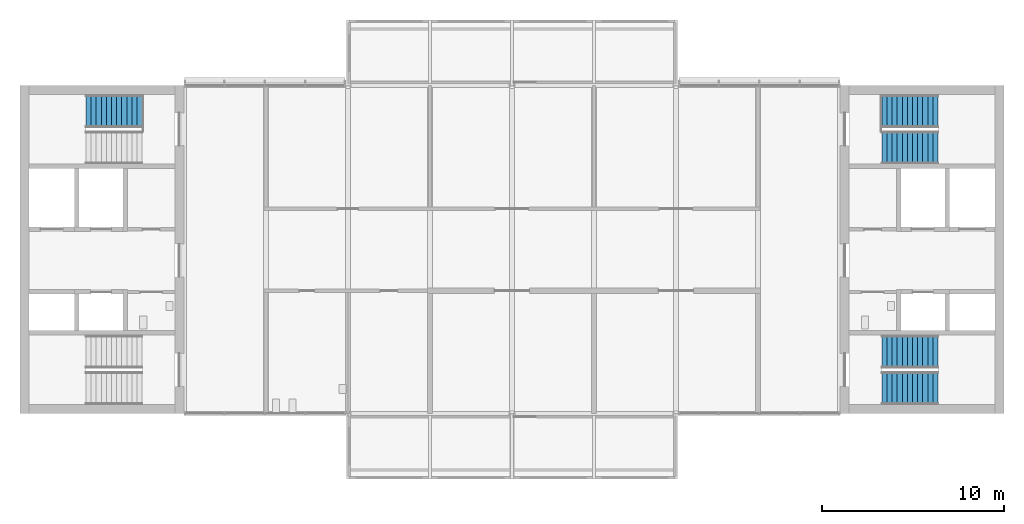
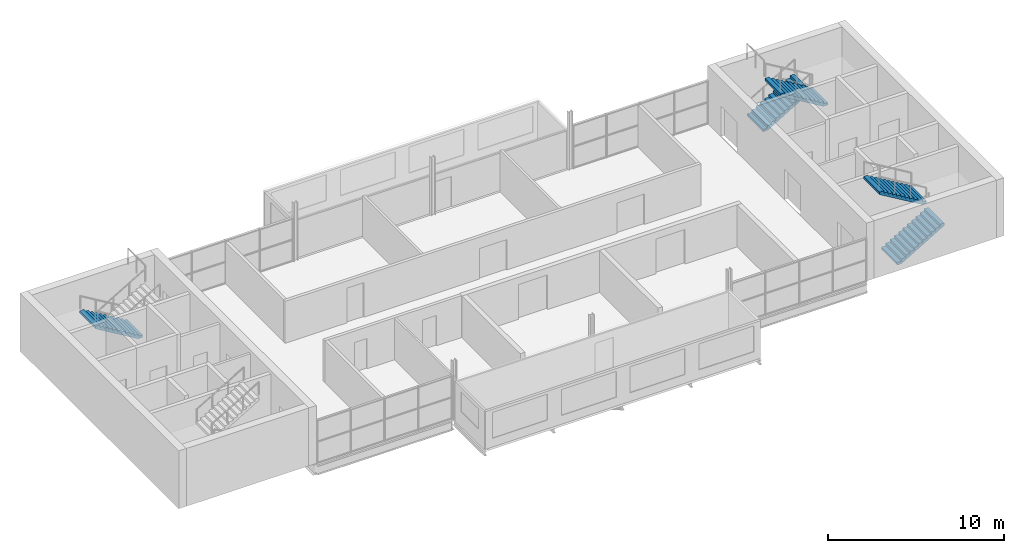
# One storey, part 7 of 10: 5 stair flights, 3 elements without a shape of their own.
"""IFC4 building model written with IfcOpenShell, lengths in metres."""

from ifc_helpers import new_model, si_unit, direction, frame, origin, place, context, subcontext, project, spatial, polyline, outline, extrude, material, type_object, element, aggregate, save


model = new_model("IFC4")

# Units and contexts
model_context = context("Model", 3, precision=1e-05, world=origin(), true_north=direction((0.0, 1.0)))
body_context = subcontext(model_context, "Body", "Model", "MODEL_VIEW")
ifc_project = project(units=[si_unit("LENGTHUNIT", "METRE"), si_unit("AREAUNIT", "SQUARE_METRE"), si_unit("VOLUMEUNIT", "CUBIC_METRE"), si_unit("PLANEANGLEUNIT", "RADIAN"), si_unit("MASSUNIT", "GRAM", prefix="KILO")], contexts=[model_context])

# Site, building, storey
site_placement = place(None, origin())
site = spatial("IfcSite", under=ifc_project, at=site_placement, CompositionType="ELEMENT")
building_placement = place(site_placement, origin())
building = spatial("IfcBuilding", under=site, at=building_placement, Name="Corbel Yard City Hall", CompositionType="ELEMENT")
storey_placement = place(building_placement, frame((0.0, 0.0, 67.199951171875)))
storey = spatial("IfcBuildingStorey", under=building, at=storey_placement, Name="L16", CompositionType="ELEMENT", Elevation=67.199951171875)

# Stair, stair flight
ifc_material = material(Name="Concrete N40 (40 MPa)", Category="concrete")
stair_type = type_object("IfcStairType", Name="ST4", PredefinedType="HALF_TURN_STAIR", material=ifc_material)
stair_1_placement = place(storey_placement, origin())
stair_1 = element("IfcStair", 1, at=stair_1_placement, inside=storey, type_object=stair_type, Name="Exit stair ST-W2 L16", PredefinedType="HALF_TURN_STAIR")
stair_flight_type = type_object("IfcStairFlightType", Name="FL4", PredefinedType="STRAIGHT", material=ifc_material)
stair_flight_1_placement = place(storey_placement, frame((6.699951171875, 115.60009765625, 0.0), z_axis=(0.0, 0.0, 1.0), x_axis=(-1.0, 0.0, 0.0)))
stair_flight_1 = element("IfcStairFlight", 2, at=stair_flight_1_placement, type_object=stair_flight_type, Name="ST-W2 flight 1", NumberOfRisers=12, NumberOfTreads=11, PredefinedType="STRAIGHT", RiserHeight=0.166667, TreadLength=0.28, context=body_context, shape_type="SweptSolid", body=[
    extrude(outline(polyline([(0.0, 0.0), (0.0, 0.166748046875), (0.280029296875, 0.166748046875), (0.280029296875, 0.333251953125), (0.56005859375, 0.333251953125), (0.56005859375, 0.5), (0.840087890625, 0.5), (0.840087890625, 0.666748046875), (1.1201171875, 0.666748046875), (1.1201171875, 0.833251953125), (1.39990234375, 0.833251953125), (1.39990234375, 1.0), (1.679931640625, 1.0), (1.679931640625, 1.166748046875), (1.9599609375, 1.166748046875), (1.9599609375, 1.333251953125), (2.239990234375, 1.333251953125), (2.239990234375, 1.5), (2.52001953125, 1.5), (2.52001953125, 1.666748046875), (2.800048828125, 1.666748046875), (2.800048828125, 1.833251953125), (3.080078125, 1.833251953125), (3.080078125, 2.0), (3.080078125, 1.658935546875), (0.29296875, 0.0), (0.0, 0.0)])), frame((0.0, 0.89990234375, 0.0), z_axis=(0.0, -1.0, 0.0), x_axis=(1.0, 0.0, 0.0)), (0.0, 0.0, 1.0), 1.800048828125),
])
aggregate(stair_1, [stair_flight_1])

# Stair, stair flights
stair_2_placement = place(storey_placement, origin())
stair_2 = element("IfcStair", 3, at=stair_2_placement, inside=storey, type_object=stair_type, Name="Exit stair ST-E1 L16", PredefinedType="HALF_TURN_STAIR")
stair_flight_2_placement = place(storey_placement, frame((47.300048828125, 100.39990234375, 0.0), z_axis=(0.0, 0.0, 1.0), x_axis=(1.0, 0.0, 0.0)))
stair_flight_2 = element("IfcStairFlight", 4, at=stair_flight_2_placement, type_object=stair_flight_type, Name="ST-E1 flight 1", NumberOfRisers=12, NumberOfTreads=11, PredefinedType="STRAIGHT", RiserHeight=0.166667, TreadLength=0.28, context=body_context, shape_type="SweptSolid", body=[
    extrude(outline(polyline([(0.0, 0.0), (0.0, 0.166748046875), (0.280029296875, 0.166748046875), (0.280029296875, 0.333251953125), (0.56005859375, 0.333251953125), (0.56005859375, 0.5), (0.840087890625, 0.5), (0.840087890625, 0.666748046875), (1.1201171875, 0.666748046875), (1.1201171875, 0.833251953125), (1.39990234375, 0.833251953125), (1.39990234375, 1.0), (1.679931640625, 1.0), (1.679931640625, 1.166748046875), (1.9599609375, 1.166748046875), (1.9599609375, 1.333251953125), (2.239990234375, 1.333251953125), (2.239990234375, 1.5), (2.52001953125, 1.5), (2.52001953125, 1.666748046875), (2.800048828125, 1.666748046875), (2.800048828125, 1.833251953125), (3.080078125, 1.833251953125), (3.080078125, 2.0), (3.080078125, 1.658935546875), (0.29296875, 0.0), (0.0, 0.0)])), frame((0.0, 0.89990234375, 0.0), z_axis=(0.0, -1.0, 0.0), x_axis=(1.0, 0.0, 0.0)), (0.0, 0.0, 1.0), 1.800048828125),
])
stair_flight_3_placement = place(storey_placement, frame((50.3798828125, 102.39990234375, 2.0), z_axis=(0.0, 0.0, 1.0), x_axis=(-1.0, 0.0, 0.0)))
stair_flight_3 = element("IfcStairFlight", 5, at=stair_flight_3_placement, type_object=stair_flight_type, Name="ST-E1 flight 2", NumberOfRisers=12, NumberOfTreads=11, PredefinedType="STRAIGHT", RiserHeight=0.166667, TreadLength=0.28, context=body_context, shape_type="SweptSolid", body=[
    extrude(outline(polyline([(0.0, 0.0), (0.0, 0.166748046875), (0.280029296875, 0.166748046875), (0.280029296875, 0.333251953125), (0.56005859375, 0.333251953125), (0.56005859375, 0.5), (0.840087890625, 0.5), (0.840087890625, 0.666748046875), (1.1201171875, 0.666748046875), (1.1201171875, 0.833251953125), (1.39990234375, 0.833251953125), (1.39990234375, 1.0), (1.679931640625, 1.0), (1.679931640625, 1.166748046875), (1.9599609375, 1.166748046875), (1.9599609375, 1.333251953125), (2.239990234375, 1.333251953125), (2.239990234375, 1.5), (2.52001953125, 1.5), (2.52001953125, 1.666748046875), (2.800048828125, 1.666748046875), (2.800048828125, 1.833251953125), (3.080078125, 1.833251953125), (3.080078125, 2.0), (3.080078125, 1.658935546875), (0.29296875, 0.0), (0.0, 0.0)])), frame((0.0, 0.89990234375, 0.0), z_axis=(0.0, -1.0, 0.0), x_axis=(1.0, 0.0, 0.0)), (0.0, 0.0, 1.0), 1.800048828125),
])
aggregate(stair_2, [stair_flight_2, stair_flight_3])

stair_3_placement = place(storey_placement, origin())
stair_3 = element("IfcStair", 6, at=stair_3_placement, inside=storey, type_object=stair_type, Name="Exit stair ST-E2 L16", PredefinedType="HALF_TURN_STAIR")
stair_flight_4_placement = place(storey_placement, frame((47.300048828125, 115.60009765625, 0.0), z_axis=(0.0, 0.0, 1.0), x_axis=(1.0, 0.0, 0.0)))
stair_flight_4 = element("IfcStairFlight", 7, at=stair_flight_4_placement, type_object=stair_flight_type, Name="ST-E2 flight 1", NumberOfRisers=12, NumberOfTreads=11, PredefinedType="STRAIGHT", RiserHeight=0.166667, TreadLength=0.28, context=body_context, shape_type="SweptSolid", body=[
    extrude(outline(polyline([(0.0, 0.0), (0.0, 0.166748046875), (0.280029296875, 0.166748046875), (0.280029296875, 0.333251953125), (0.56005859375, 0.333251953125), (0.56005859375, 0.5), (0.840087890625, 0.5), (0.840087890625, 0.666748046875), (1.1201171875, 0.666748046875), (1.1201171875, 0.833251953125), (1.39990234375, 0.833251953125), (1.39990234375, 1.0), (1.679931640625, 1.0), (1.679931640625, 1.166748046875), (1.9599609375, 1.166748046875), (1.9599609375, 1.333251953125), (2.239990234375, 1.333251953125), (2.239990234375, 1.5), (2.52001953125, 1.5), (2.52001953125, 1.666748046875), (2.800048828125, 1.666748046875), (2.800048828125, 1.833251953125), (3.080078125, 1.833251953125), (3.080078125, 2.0), (3.080078125, 1.658935546875), (0.29296875, 0.0), (0.0, 0.0)])), frame((0.0, 0.89990234375, 0.0), z_axis=(0.0, -1.0, 0.0), x_axis=(1.0, 0.0, 0.0)), (0.0, 0.0, 1.0), 1.800048828125),
])
stair_flight_5_placement = place(storey_placement, frame((50.3798828125, 113.60009765625, 2.0), z_axis=(0.0, 0.0, 1.0), x_axis=(-1.0, 0.0, 0.0)))
stair_flight_5 = element("IfcStairFlight", 8, at=stair_flight_5_placement, type_object=stair_flight_type, Name="ST-E2 flight 2", NumberOfRisers=12, NumberOfTreads=11, PredefinedType="STRAIGHT", RiserHeight=0.166667, TreadLength=0.28, context=body_context, shape_type="SweptSolid", body=[
    extrude(outline(polyline([(0.0, 0.0), (0.0, 0.166748046875), (0.280029296875, 0.166748046875), (0.280029296875, 0.333251953125), (0.56005859375, 0.333251953125), (0.56005859375, 0.5), (0.840087890625, 0.5), (0.840087890625, 0.666748046875), (1.1201171875, 0.666748046875), (1.1201171875, 0.833251953125), (1.39990234375, 0.833251953125), (1.39990234375, 1.0), (1.679931640625, 1.0), (1.679931640625, 1.166748046875), (1.9599609375, 1.166748046875), (1.9599609375, 1.333251953125), (2.239990234375, 1.333251953125), (2.239990234375, 1.5), (2.52001953125, 1.5), (2.52001953125, 1.666748046875), (2.800048828125, 1.666748046875), (2.800048828125, 1.833251953125), (3.080078125, 1.833251953125), (3.080078125, 2.0), (3.080078125, 1.658935546875), (0.29296875, 0.0), (0.0, 0.0)])), frame((0.0, 0.89990234375, 0.0), z_axis=(0.0, -1.0, 0.0), x_axis=(1.0, 0.0, 0.0)), (0.0, 0.0, 1.0), 1.800048828125),
])
aggregate(stair_3, [stair_flight_4, stair_flight_5])

save(model, "model.ifc")
